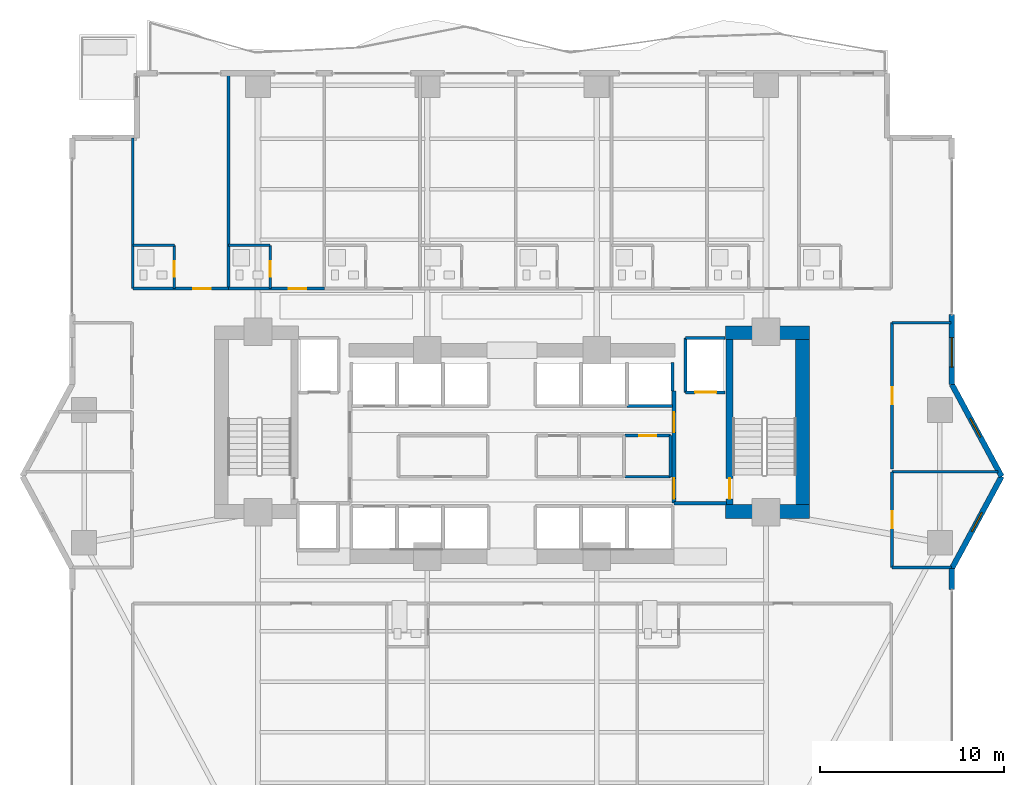
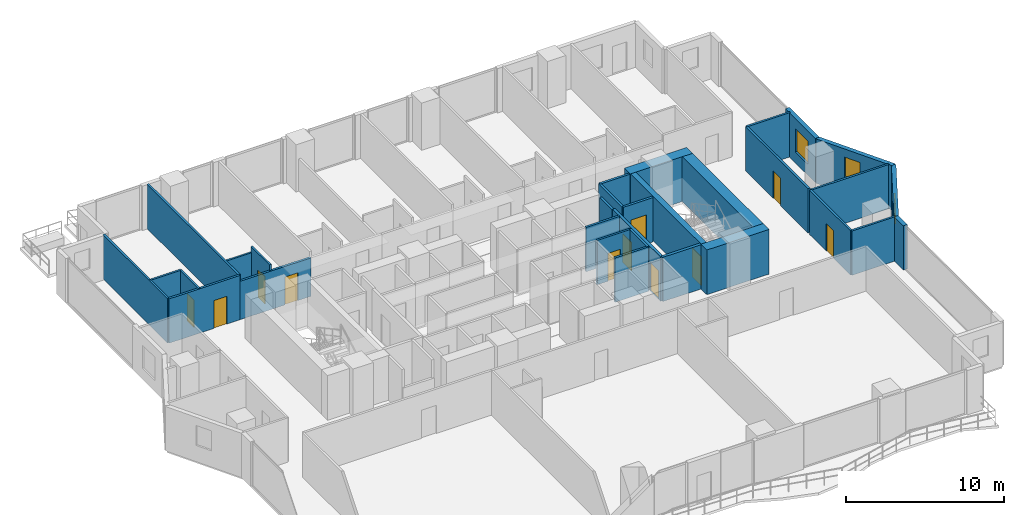
# One storey, part 23 of 29: 31 walls, 11 doors, 3 windows, 14 openings.
"""IFC4 building model written with IfcOpenShell, lengths in metres."""

from ifc_helpers import new_model, si_unit, direction, frame, frame_2d, origin, place, context, subcontext, project, spatial, rectangle, extrude, material, layer, layer_set, type_object, element, fill, save


model = new_model("IFC4")

# Units and contexts
model_context = context("Model", 3, precision=1e-05, world=origin(), true_north=direction((0.0, 1.0)))
body_context = subcontext(model_context, "Body", "Model", "MODEL_VIEW")
ifc_project = project(units=[si_unit("LENGTHUNIT", "METRE"), si_unit("AREAUNIT", "SQUARE_METRE"), si_unit("VOLUMEUNIT", "CUBIC_METRE"), si_unit("PLANEANGLEUNIT", "RADIAN"), si_unit("MASSUNIT", "GRAM", prefix="KILO")], contexts=[model_context])

# Site, building, storey
site_placement = place(None, origin())
site = spatial("IfcSite", under=ifc_project, at=site_placement, CompositionType="ELEMENT")
building_placement = place(site_placement, origin())
building = spatial("IfcBuilding", under=site, at=building_placement, Name="Zuhayl Quay Hotel", CompositionType="ELEMENT")
storey_placement = place(building_placement, frame((0.0, 0.0, 113.89990234375)))
storey = spatial("IfcBuildingStorey", under=building, at=storey_placement, Name="L28", CompositionType="ELEMENT", Elevation=113.89990234375)

# Walls
ifc_material_1 = material(Name="Concrete C60/75", Category="concrete")
ifc_layer_1 = layer(ifc_material_1, 0.75, Name="Concrete C60/75", Category="concrete")
ifc_layer_set_1 = layer_set([ifc_layer_1], Name="Concrete C60/75")
wall_type_1 = type_object("IfcWallType", Name="WL_CORE_750", PredefinedType="SHEAR", material=ifc_layer_set_1)
wall_1_placement = place(storey_placement, frame((11.60009765625, 14.304931640625, 0.0), z_axis=(0.0, 0.0, 1.0), x_axis=(1.0, 0.0, 0.0)))
element("IfcWall", 1, at=wall_1_placement, inside=storey, type_object=wall_type_1, Name="L28 Core Shear Wall CW_NE", PredefinedType="SHEAR", context=body_context, shape_type="SweptSolid", body=[
    extrude(rectangle(XDim=4.559814453125, YDim=0.75, at=frame_2d((2.27978515625, 0.0))), origin(), (0.0, 0.0, 1.0), 3.460205078125),
])
wall_2_placement = place(storey_placement, frame((15.784912109375, 4.969970703125, 0.0), z_axis=(0.0, 0.0, 1.0), x_axis=(0.0, 1.0, 0.0)))
element("IfcWall", 2, at=wall_2_placement, inside=storey, type_object=wall_type_1, Name="L28 Core Shear Wall CW_E", PredefinedType="SHEAR", context=body_context, shape_type="SweptSolid", body=[
    extrude(rectangle(XDim=8.9599609375, YDim=0.75, at=frame_2d((4.47998046875, 0.0))), origin(), (0.0, 0.0, 1.0), 3.460205078125),
])
wall_3_placement = place(storey_placement, frame((11.60009765625, 4.594970703125, 0.0), z_axis=(0.0, 0.0, 1.0), x_axis=(1.0, 0.0, 0.0)))
element("IfcWall", 3, at=wall_3_placement, inside=storey, type_object=wall_type_1, Name="L28 Core Shear Wall CW_SE", PredefinedType="SHEAR", context=body_context, shape_type="SweptSolid", body=[
    extrude(rectangle(XDim=4.559814453125, YDim=0.75, at=frame_2d((2.27978515625, 0.0))), origin(), (0.0, 0.0, 1.0), 3.460205078125),
])

# Wall, opening, window
ifc_material_2 = material(Name="Precast concrete C45/55", Category="concrete")
ifc_layer_2 = layer(ifc_material_2, 0.300048828125, Name="Precast concrete C45/55", Category="concrete")
ifc_layer_set_2 = layer_set([ifc_layer_2], Name="Precast concrete C45/55")
wall_type_2 = type_object("IfcWallType", Name="WL_EXT_300", PredefinedType="STANDARD", material=ifc_layer_set_2)
wall_4_placement = place(storey_placement, frame((23.89990234375, 15.300048828125, 0.0), z_axis=(0.0, 0.0, 1.0), x_axis=(0.0, -1.0, 0.0)))
wall_4 = element("IfcWall", 4, at=wall_4_placement, inside=storey, type_object=wall_type_2, Name="L28 Exterior Precast Wall ENV_L28_E11_EW2", PredefinedType="STANDARD", context=body_context, shape_type="SweptSolid", body=[
    extrude(rectangle(XDim=3.800048828125, YDim=0.300048828125, at=frame_2d((1.89990234375, 0.0))), origin(), (0.0, 0.0, 1.0), 3.43017578125),
])
opening_1_placement = place(wall_4_placement, frame((1.264892578125, 0.0, 0.85009765625)))
opening_1 = element("IfcOpeningElement", 5, at=opening_1_placement, cuts=wall_4, Name="Opening W01", PredefinedType="OPENING", context=body_context, shape_type="SweptSolid", body=[
    extrude(rectangle(XDim=1.60009765625, YDim=1.800048828125, at=frame_2d((0.800048828125, 0.89990234375))), frame((0.0, 0.159912109375, 0.0), z_axis=(0.0, -1.0, 0.0), x_axis=(1.0, 0.0, 0.0)), (0.0, 0.0, 1.0), 0.320068359375),
])
ifc_material_3 = material(Name="Dark Ceramic-Fritted Solar Glass", Category="glass")
window_type_1 = type_object("IfcWindowType", Name="WN_OPERABLE_1600", PartitioningType="DOUBLE_PANEL_VERTICAL", PredefinedType="WINDOW", material=ifc_material_3)
window_1_placement = place(opening_1_placement, origin())
window_1 = element("IfcWindow", 6, at=window_1_placement, inside=storey, type_object=window_type_1, Name="L28 Operable Facade Window 2-1", OverallHeight=1.800048828125, OverallWidth=1.60009765625, PartitioningType="SINGLE_PANEL", PredefinedType="WINDOW", context=body_context, shape_type="SweptSolid", body=[
    extrude(rectangle(XDim=1.60009765625, YDim=1.800048828125, at=frame_2d((0.800048828125, 0.89990234375))), frame((0.0, 0.030029296875, 0.0), z_axis=(0.0, -1.0, 0.0), x_axis=(1.0, 0.0, 0.0)), (0.0, 0.0, 1.0), 0.06005859375),
])
fill(opening_1, window_1)

wall_5_placement = place(storey_placement, frame((23.89990234375, 11.5, 0.0), z_axis=(0.0, 0.0, 1.0), x_axis=(0.475175525499, -0.879891027325, 0.0)))
wall_5 = element("IfcWall", 7, at=wall_5_placement, inside=storey, type_object=wall_type_2, Name="L28 Exterior Precast Wall ENV_L28_EW12", PredefinedType="STANDARD", context=body_context, shape_type="SweptSolid", body=[
    extrude(rectangle(XDim=5.6826171875, YDim=0.300048828125, at=frame_2d((2.84130859375, 0.0))), origin(), (0.0, 0.0, 1.0), 3.43017578125),
])
opening_2_placement = place(wall_5_placement, frame((2.099853515625, 0.0, 1.25)))
opening_2 = element("IfcOpeningElement", 8, at=opening_2_placement, cuts=wall_5, Name="Opening W01N", PredefinedType="OPENING", context=body_context, shape_type="SweptSolid", body=[
    extrude(rectangle(XDim=1.14990234375, YDim=1.550048828125, at=frame_2d((0.574951171875, 0.77490234375))), frame((0.0, 0.159912109375, 0.0), z_axis=(0.0, -1.0, 0.0), x_axis=(1.0, 0.0, 0.0)), (0.0, 0.0, 1.0), 0.320068359375),
])
window_type_2 = type_object("IfcWindowType", Name="WN_NOTCH_1350", PartitioningType="SINGLE_PANEL", PredefinedType="WINDOW", material=ifc_material_3)
window_2_placement = place(opening_2_placement, origin())
window_2 = element("IfcWindow", 9, at=window_2_placement, inside=storey, type_object=window_type_2, Name="L28 Corner Notch Window 12", OverallHeight=1.550048828125, OverallWidth=1.14990234375, PartitioningType="SINGLE_PANEL", PredefinedType="WINDOW", context=body_context, shape_type="SweptSolid", body=[
    extrude(rectangle(XDim=1.14990234375, YDim=1.550048828125, at=frame_2d((0.574951171875, 0.77490234375))), frame((0.0, 0.030029296875, 0.0), z_axis=(0.0, -1.0, 0.0), x_axis=(1.0, 0.0, 0.0)), (0.0, 0.0, 1.0), 0.06005859375),
])
fill(opening_2, window_2)

wall_6_placement = place(storey_placement, frame((26.60009765625, 6.5, 0.0), z_axis=(0.0, 0.0, 1.0), x_axis=(-0.475175525499, -0.879891027325, 0.0)))
wall_6 = element("IfcWall", 10, at=wall_6_placement, inside=storey, type_object=wall_type_2, Name="L28 Exterior Precast Wall ENV_L28_EW13", PredefinedType="STANDARD", context=body_context, shape_type="SweptSolid", body=[
    extrude(rectangle(XDim=5.6826171875, YDim=0.300048828125, at=frame_2d((2.84130859375, 0.0))), origin(), (0.0, 0.0, 1.0), 3.43017578125),
])
opening_3_placement = place(wall_6_placement, frame((2.2421875, 0.0, 1.25)))
opening_3 = element("IfcOpeningElement", 11, at=opening_3_placement, cuts=wall_6, Name="Opening W01N", PredefinedType="OPENING", context=body_context, shape_type="SweptSolid", body=[
    extrude(rectangle(XDim=1.14990234375, YDim=1.550048828125, at=frame_2d((0.574951171875, 0.77490234375))), frame((0.0, 0.159912109375, 0.0), z_axis=(0.0, -1.0, 0.0), x_axis=(1.0, 0.0, 0.0)), (0.0, 0.0, 1.0), 0.320068359375),
])
window_3_placement = place(opening_3_placement, origin())
window_3 = element("IfcWindow", 12, at=window_3_placement, inside=storey, type_object=window_type_2, Name="L28 Corner Notch Window 13", OverallHeight=1.550048828125, OverallWidth=1.14990234375, PartitioningType="SINGLE_PANEL", PredefinedType="WINDOW", context=body_context, shape_type="SweptSolid", body=[
    extrude(rectangle(XDim=1.14990234375, YDim=1.550048828125, at=frame_2d((0.574951171875, 0.77490234375))), frame((0.0, 0.030029296875, 0.0), z_axis=(0.0, -1.0, 0.0), x_axis=(1.0, 0.0, 0.0)), (0.0, 0.0, 1.0), 0.06005859375),
])
fill(opening_3, window_3)

# Wall
wall_7_placement = place(storey_placement, frame((23.89990234375, 1.5, 0.0), z_axis=(0.0, 0.0, 1.0), x_axis=(0.0, -1.0, 0.0)))
element("IfcWall", 13, at=wall_7_placement, inside=storey, type_object=wall_type_2, Name="L28 Exterior Precast Wall ENV_L28_E14_EW1", PredefinedType="STANDARD", context=body_context, shape_type="SweptSolid", body=[
    extrude(rectangle(XDim=1.14990234375, YDim=0.300048828125, at=frame_2d((0.574951171875, 0.0))), origin(), (0.0, 0.0, 1.0), 3.43017578125),
])

# Wall, opening, door
ifc_material_4 = material(Name="Acoustic Gypsum Partition STC-58")
ifc_layer_3 = layer(ifc_material_4, 0.14990234375, Name="Acoustic Gypsum Partition STC-58")
ifc_layer_set_3 = layer_set([ifc_layer_3], Name="Acoustic Gypsum Partition STC-58")
wall_type_3 = type_object("IfcWallType", Name="WL_PART_150", PredefinedType="PARTITIONING", material=ifc_layer_set_3)
wall_8_placement = place(storey_placement, frame((6.139892578125, 8.719970703125, 0.0), z_axis=(0.0, 0.0, 1.0), x_axis=(1.0, 0.0, 0.0)))
wall_8 = element("IfcWall", 14, at=wall_8_placement, inside=storey, type_object=wall_type_3, Name="L28 Partition IW_L28_CORE_E3_N", PredefinedType="PARTITIONING", context=body_context, shape_type="SweptSolid", body=[
    extrude(rectangle(XDim=2.47021484375, YDim=0.14990234375, at=frame_2d((1.235107421875, 0.0))), origin(), (0.0, 0.0, 1.0), 3.43017578125),
])
opening_4_placement = place(wall_8_placement, frame((0.784912109375, 0.0, 0.0)))
opening_4 = element("IfcOpeningElement", 15, at=opening_4_placement, cuts=wall_8, Name="Opening D06", PredefinedType="OPENING", context=body_context, shape_type="SweptSolid", body=[
    extrude(rectangle(XDim=0.89990234375, YDim=2.14990234375, at=frame_2d((0.449951171875, 1.074951171875))), frame((0.0, 0.0849609375, 0.0), z_axis=(0.0, -1.0, 0.0), x_axis=(1.0, 0.0, 0.0)), (0.0, 0.0, 1.0), 0.169921875),
])
ifc_material_5 = material(Name="Steel ASTM A992 Grade 50", Category="steel")
door_type_1 = type_object("IfcDoorType", Name="DR_INT_900", OperationType="NOTDEFINED", PredefinedType="DOOR", material=ifc_material_5)
door_1_placement = place(opening_4_placement, origin())
door_1 = element("IfcDoor", 16, at=door_1_placement, inside=storey, type_object=door_type_1, Name="L28 Janitor and Cleaners Store Door", OperationType="SINGLE_SWING_RIGHT", OverallHeight=2.14990234375, OverallWidth=0.89990234375, PredefinedType="DOOR", context=body_context, shape_type="SweptSolid", body=[
    extrude(rectangle(XDim=0.89990234375, YDim=2.14990234375, at=frame_2d((0.449951171875, 1.074951171875))), frame((0.0, 0.02490234375, 0.0), z_axis=(0.0, -1.0, 0.0), x_axis=(1.0, 0.0, 0.0)), (0.0, 0.0, 1.0), 0.050048828125),
])
fill(opening_4, door_1)

# Walls
wall_9_placement = place(storey_placement, frame((6.139892578125, 6.47998046875, 0.0), z_axis=(0.0, 0.0, 1.0), x_axis=(1.0, 0.0, 0.0)))
element("IfcWall", 17, at=wall_9_placement, inside=storey, type_object=wall_type_3, Name="L28 Partition IW_L28_CORE_E3_S", PredefinedType="PARTITIONING", context=body_context, shape_type="SweptSolid", body=[
    extrude(rectangle(XDim=2.47021484375, YDim=0.14990234375, at=frame_2d((1.235107421875, 0.0))), origin(), (0.0, 0.0, 1.0), 3.43017578125),
])
wall_10_placement = place(storey_placement, frame((8.610107421875, 6.47998046875, 0.0), z_axis=(0.0, 0.0, 1.0), x_axis=(0.0, 1.0, 0.0)))
element("IfcWall", 18, at=wall_10_placement, inside=storey, type_object=wall_type_3, Name="L28 Partition IW_L28_CORE_E3_E", PredefinedType="PARTITIONING", context=body_context, shape_type="SweptSolid", body=[
    extrude(rectangle(XDim=2.239990234375, YDim=0.14990234375, at=frame_2d((1.1201171875, 0.0))), origin(), (0.0, 0.0, 1.0), 3.43017578125),
])
wall_11_placement = place(storey_placement, frame((-20.60009765625, 16.699951171875, 0.0), z_axis=(0.0, 0.0, 1.0), x_axis=(0.0, 1.0, 0.0)))
element("IfcWall", 19, at=wall_11_placement, inside=storey, type_object=wall_type_3, Name="L28 Partition IW_L28_NU01_W", PredefinedType="PARTITIONING", context=body_context, shape_type="SweptSolid", body=[
    extrude(rectangle(XDim=8.199951171875, YDim=0.14990234375, at=frame_2d((4.10009765625, 0.0))), origin(), (0.0, 0.0, 1.0), 3.43017578125),
])
wall_12_placement = place(storey_placement, frame((-15.39990234375, 16.699951171875, 0.0), z_axis=(0.0, 0.0, 1.0), x_axis=(0.0, 1.0, 0.0)))
element("IfcWall", 20, at=wall_12_placement, inside=storey, type_object=wall_type_3, Name="L28 Partition IW_L28_NU01_E", PredefinedType="PARTITIONING", context=body_context, shape_type="SweptSolid", body=[
    extrude(rectangle(XDim=11.6201171875, YDim=0.14990234375, at=frame_2d((5.81005859375, 0.0))), origin(), (0.0, 0.0, 1.0), 3.43017578125),
])
wall_13_placement = place(storey_placement, frame((20.64990234375, 1.550048828125, 0.0), z_axis=(0.0, 0.0, 1.0), x_axis=(1.0, 0.0, 0.0)))
element("IfcWall", 21, at=wall_13_placement, inside=storey, type_object=wall_type_3, Name="L28 Partition IW_L28_HK_MAIN_S", PredefinedType="PARTITIONING", context=body_context, shape_type="SweptSolid", body=[
    extrude(rectangle(XDim=3.217041015625, YDim=0.14990234375, at=frame_2d((1.6083984375, 0.0))), origin(), (0.0, 0.0, 1.0), 3.43017578125),
])
wall_14_placement = place(storey_placement, frame((20.64990234375, 6.75, 0.0), z_axis=(0.0, 0.0, 1.0), x_axis=(1.0, 0.0, 0.0)))
element("IfcWall", 22, at=wall_14_placement, inside=storey, type_object=wall_type_3, Name="L28 Partition IW_L28_HK_MAIN_N", PredefinedType="PARTITIONING", context=body_context, shape_type="SweptSolid", body=[
    extrude(rectangle(XDim=5.755126953125, YDim=0.14990234375, at=frame_2d((2.87744140625, 0.0))), origin(), (0.0, 0.0, 1.0), 3.43017578125),
])
wall_15_placement = place(storey_placement, frame((20.64990234375, 14.85009765625, 0.0), z_axis=(0.0, 0.0, 1.0), x_axis=(1.0, 0.0, 0.0)))
element("IfcWall", 23, at=wall_15_placement, inside=storey, type_object=wall_type_3, Name="L28 Partition IW_L28_EFLK_2_N", PredefinedType="PARTITIONING", context=body_context, shape_type="SweptSolid", body=[
    extrude(rectangle(XDim=3.190185546875, YDim=0.14990234375, at=frame_2d((1.59521484375, 0.0))), origin(), (0.0, 0.0, 1.0), 3.43017578125),
])

# Wall, opening, door
ifc_layer_4 = layer(ifc_material_4, 0.159912109375, Name="Acoustic Gypsum Partition STC-58")
ifc_layer_set_4 = layer_set([ifc_layer_4], Name="Acoustic Gypsum Partition STC-58")
wall_type_4 = type_object("IfcWallType", Name="WL_PART_CORR_160", PredefinedType="PARTITIONING", material=ifc_layer_set_4)
wall_16_placement = place(storey_placement, frame((-20.60009765625, 16.699951171875, 0.0), z_axis=(0.0, 0.0, 1.0), x_axis=(1.0, 0.0, 0.0)))
wall_16 = element("IfcWall", 24, at=wall_16_placement, inside=storey, type_object=wall_type_4, Name="L28 Partition IW_L28_NU01_COR", PredefinedType="PARTITIONING", context=body_context, shape_type="SweptSolid", body=[
    extrude(rectangle(XDim=5.2001953125, YDim=0.159912109375, at=frame_2d((2.60009765625, 0.0))), origin(), (0.0, 0.0, 1.0), 3.43017578125),
])
opening_5_placement = place(wall_16_placement, frame((3.27490234375, 0.0, 0.0)))
opening_5 = element("IfcOpeningElement", 25, at=opening_5_placement, cuts=wall_16, Name="Opening D03", PredefinedType="OPENING", context=body_context, shape_type="SweptSolid", body=[
    extrude(rectangle(XDim=0.949951171875, YDim=2.14990234375, at=frame_2d((0.47509765625, 1.074951171875))), frame((0.0, 0.08984375, 0.0), z_axis=(0.0, -1.0, 0.0), x_axis=(1.0, 0.0, 0.0)), (0.0, 0.0, 1.0), 0.179931640625),
])
ifc_material_6 = material(Name="Solid Walnut Acoustic Fire Door")
door_type_2 = type_object("IfcDoorType", Name="DR_SUITE_950", OperationType="NOTDEFINED", PredefinedType="DOOR", material=ifc_material_6)
door_2_placement = place(opening_5_placement, origin())
door_2 = element("IfcDoor", 26, at=door_2_placement, inside=storey, type_object=door_type_2, Name="L28 Deluxe Gulf Guest Room L28-01 Entrance Door", OperationType="SINGLE_SWING_RIGHT", OverallHeight=2.14990234375, OverallWidth=0.949951171875, PredefinedType="DOOR", context=body_context, shape_type="SweptSolid", body=[
    extrude(rectangle(XDim=0.949951171875, YDim=2.14990234375, at=frame_2d((0.47509765625, 1.074951171875))), frame((0.0, 0.02490234375, 0.0), z_axis=(0.0, -1.0, 0.0), x_axis=(1.0, 0.0, 0.0)), (0.0, 0.0, 1.0), 0.050048828125),
])
fill(opening_5, door_2)

wall_17_placement = place(storey_placement, frame((-15.39990234375, 16.699951171875, 0.0), z_axis=(0.0, 0.0, 1.0), x_axis=(1.0, 0.0, 0.0)))
wall_17 = element("IfcWall", 27, at=wall_17_placement, inside=storey, type_object=wall_type_4, Name="L28 Partition IW_L28_NU02_COR", PredefinedType="PARTITIONING", context=body_context, shape_type="SweptSolid", body=[
    extrude(rectangle(XDim=5.199951171875, YDim=0.159912109375, at=frame_2d((2.60009765625, 0.0))), origin(), (0.0, 0.0, 1.0), 2.97314453125),
])
opening_6_placement = place(wall_17_placement, frame((3.27490234375, 0.0, 0.0)))
opening_6 = element("IfcOpeningElement", 28, at=opening_6_placement, cuts=wall_17, Name="Opening D03", PredefinedType="OPENING", context=body_context, shape_type="SweptSolid", body=[
    extrude(rectangle(XDim=0.949951171875, YDim=2.14990234375, at=frame_2d((0.47509765625, 1.074951171875))), frame((0.0, 0.08984375, 0.0), z_axis=(0.0, -1.0, 0.0), x_axis=(1.0, 0.0, 0.0)), (0.0, 0.0, 1.0), 0.179931640625),
])
door_3_placement = place(opening_6_placement, origin())
door_3 = element("IfcDoor", 29, at=door_3_placement, inside=storey, type_object=door_type_2, Name="L28 Deluxe Gulf Guest Room L28-02 Entrance Door", OperationType="SINGLE_SWING_RIGHT", OverallHeight=2.14990234375, OverallWidth=0.949951171875, PredefinedType="DOOR", context=body_context, shape_type="SweptSolid", body=[
    extrude(rectangle(XDim=0.949951171875, YDim=2.14990234375, at=frame_2d((0.47509765625, 1.074951171875))), frame((0.0, 0.02490234375, 0.0), z_axis=(0.0, -1.0, 0.0), x_axis=(1.0, 0.0, 0.0)), (0.0, 0.0, 1.0), 0.050048828125),
])
fill(opening_6, door_3)

wall_18_placement = place(storey_placement, frame((20.64990234375, 1.550048828125, 0.0), z_axis=(0.0, 0.0, 1.0), x_axis=(0.0, 1.0, 0.0)))
wall_18 = element("IfcWall", 30, at=wall_18_placement, inside=storey, type_object=wall_type_4, Name="L28 Partition IW_L28_HK_MAIN_W", PredefinedType="PARTITIONING", context=body_context, shape_type="SweptSolid", body=[
    extrude(rectangle(XDim=5.199951171875, YDim=0.159912109375, at=frame_2d((2.60009765625, 0.0))), origin(), (0.0, 0.0, 1.0), 3.43017578125),
])
opening_7_placement = place(wall_18_placement, frame((2.139892578125, 0.0, 0.0)))
opening_7 = element("IfcOpeningElement", 31, at=opening_7_placement, cuts=wall_18, Name="Opening D05", PredefinedType="OPENING", context=body_context, shape_type="SweptSolid", body=[
    extrude(rectangle(XDim=0.919921875, YDim=2.1201171875, at=frame_2d((0.4599609375, 1.06005859375))), frame((0.0, 0.08984375, 0.0), z_axis=(0.0, -1.0, 0.0), x_axis=(1.0, 0.0, 0.0)), (0.0, 0.0, 1.0), 0.179931640625),
])
door_type_3 = type_object("IfcDoorType", Name="DR_INT_950", OperationType="NOTDEFINED", PredefinedType="DOOR", material=ifc_material_6)
door_4_placement = place(opening_7_placement, origin())
door_4 = element("IfcDoor", 32, at=door_4_placement, inside=storey, type_object=door_type_3, Name="L28 Housekeeping and Linen Room Door", OperationType="SINGLE_SWING_RIGHT", OverallHeight=2.1201171875, OverallWidth=0.919921875, PredefinedType="DOOR", context=body_context, shape_type="SweptSolid", body=[
    extrude(rectangle(XDim=0.919921875, YDim=2.1201171875, at=frame_2d((0.4599609375, 1.06005859375))), frame((0.0, 0.02490234375, 0.0), z_axis=(0.0, -1.0, 0.0), x_axis=(1.0, 0.0, 0.0)), (0.0, 0.0, 1.0), 0.050048828125),
])
fill(opening_7, door_4)

wall_19_placement = place(storey_placement, frame((20.64990234375, 6.909912109375, 0.0), z_axis=(0.0, 0.0, 1.0), x_axis=(0.0, 1.0, 0.0)))
wall_19 = element("IfcWall", 33, at=wall_19_placement, inside=storey, type_object=wall_type_4, Name="L28 Partition IW_L28_EFLK_2_W", PredefinedType="PARTITIONING", context=body_context, shape_type="SweptSolid", body=[
    extrude(rectangle(XDim=7.940185546875, YDim=0.159912109375, at=frame_2d((3.97021484375, 0.0))), origin(), (0.0, 0.0, 1.0), 3.43017578125),
])
opening_8_placement = place(wall_19_placement, frame((3.510009765625, 0.0, 0.0)))
opening_8 = element("IfcOpeningElement", 34, at=opening_8_placement, cuts=wall_19, Name="Opening D05", PredefinedType="OPENING", context=body_context, shape_type="SweptSolid", body=[
    extrude(rectangle(XDim=0.919921875, YDim=2.1201171875, at=frame_2d((0.4599609375, 1.06005859375))), frame((0.0, 0.08984375, 0.0), z_axis=(0.0, -1.0, 0.0), x_axis=(1.0, 0.0, 0.0)), (0.0, 0.0, 1.0), 0.179931640625),
])
door_5_placement = place(opening_8_placement, origin())
door_5 = element("IfcDoor", 35, at=door_5_placement, inside=storey, type_object=door_type_3, Name="L28 East Prow Reading Lounge L28 Door", OperationType="SINGLE_SWING_LEFT", OverallHeight=2.1201171875, OverallWidth=0.919921875, PredefinedType="DOOR", context=body_context, shape_type="SweptSolid", body=[
    extrude(rectangle(XDim=0.919921875, YDim=2.1201171875, at=frame_2d((0.4599609375, 1.06005859375))), frame((0.0, 0.02490234375, 0.0), z_axis=(0.0, -1.0, 0.0), x_axis=(1.0, 0.0, 0.0)), (0.0, 0.0, 1.0), 0.050048828125),
])
fill(opening_8, door_5)

ifc_material_7 = material(Name="Moisture-Resistant Sanitarychase Gypsum")
ifc_layer_5 = layer(ifc_material_7, 0.135009765625, Name="Moisture-Resistant Sanitarychase Gypsum")
ifc_layer_set_5 = layer_set([ifc_layer_5], Name="Moisture-Resistant Sanitarychase Gypsum")
wall_type_5 = type_object("IfcWallType", Name="WL_PART_PLUMB_150", PredefinedType="PLUMBINGWALL", material=ifc_layer_set_5)
wall_20_placement = place(storey_placement, frame((-18.340087890625, 16.699951171875, 0.0), z_axis=(0.0, 0.0, 1.0), x_axis=(0.0, 1.0, 0.0)))
wall_20 = element("IfcWall", 36, at=wall_20_placement, inside=storey, type_object=wall_type_5, Name="L28 Partition IW_L28_NU01_BE", PredefinedType="PLUMBINGWALL", context=body_context, shape_type="SweptSolid", body=[
    extrude(rectangle(XDim=2.360107421875, YDim=0.135009765625, at=frame_2d((1.18017578125, 0.0))), origin(), (0.0, 0.0, 1.0), 3.43017578125),
])
opening_9_placement = place(wall_20_placement, frame((0.64990234375, 0.0, 0.0)))
opening_9 = element("IfcOpeningElement", 37, at=opening_9_placement, cuts=wall_20, Name="Opening D04", PredefinedType="OPENING", context=body_context, shape_type="SweptSolid", body=[
    extrude(rectangle(XDim=0.85009765625, YDim=2.10009765625, at=frame_2d((0.425048828125, 1.050048828125))), frame((0.0, 0.077392578125, 0.0), z_axis=(0.0, -1.0, 0.0), x_axis=(1.0, 0.0, 0.0)), (0.0, 0.0, 1.0), 0.155029296875),
])
ifc_material_8 = material(Name="Moisture-Resistant Walnut Veneer")
door_type_4 = type_object("IfcDoorType", Name="DR_BATH_850", OperationType="NOTDEFINED", PredefinedType="DOOR", material=ifc_material_8)
door_6_placement = place(opening_9_placement, origin())
door_6 = element("IfcDoor", 38, at=door_6_placement, inside=storey, type_object=door_type_4, Name="L28 Deluxe Gulf Guest Room L28-01 En-Suite Door", OperationType="SINGLE_SWING_LEFT", OverallHeight=2.10009765625, OverallWidth=0.85009765625, PredefinedType="DOOR", context=body_context, shape_type="SweptSolid", body=[
    extrude(rectangle(XDim=0.85009765625, YDim=2.10009765625, at=frame_2d((0.425048828125, 1.050048828125))), frame((0.0, 0.02490234375, 0.0), z_axis=(0.0, -1.0, 0.0), x_axis=(1.0, 0.0, 0.0)), (0.0, 0.0, 1.0), 0.050048828125),
])
fill(opening_9, door_6)

wall_21_placement = place(storey_placement, frame((-13.139892578125, 16.699951171875, 0.0), z_axis=(0.0, 0.0, 1.0), x_axis=(0.0, 1.0, 0.0)))
wall_21 = element("IfcWall", 39, at=wall_21_placement, inside=storey, type_object=wall_type_5, Name="L28 Partition IW_L28_NU02_BE", PredefinedType="PLUMBINGWALL", context=body_context, shape_type="SweptSolid", body=[
    extrude(rectangle(XDim=2.360107421875, YDim=0.135009765625, at=frame_2d((1.18017578125, 0.0))), origin(), (0.0, 0.0, 1.0), 3.43017578125),
])
opening_10_placement = place(wall_21_placement, frame((0.64990234375, 0.0, 0.0)))
opening_10 = element("IfcOpeningElement", 40, at=opening_10_placement, cuts=wall_21, Name="Opening D04", PredefinedType="OPENING", context=body_context, shape_type="SweptSolid", body=[
    extrude(rectangle(XDim=0.85009765625, YDim=2.10009765625, at=frame_2d((0.425048828125, 1.050048828125))), frame((0.0, 0.077392578125, 0.0), z_axis=(0.0, -1.0, 0.0), x_axis=(1.0, 0.0, 0.0)), (0.0, 0.0, 1.0), 0.155029296875),
])
door_7_placement = place(opening_10_placement, origin())
door_7 = element("IfcDoor", 41, at=door_7_placement, inside=storey, type_object=door_type_4, Name="L28 Deluxe Gulf Guest Room L28-02 En-Suite Door", OperationType="SINGLE_SWING_LEFT", OverallHeight=2.10009765625, OverallWidth=0.85009765625, PredefinedType="DOOR", context=body_context, shape_type="SweptSolid", body=[
    extrude(rectangle(XDim=0.85009765625, YDim=2.10009765625, at=frame_2d((0.425048828125, 1.050048828125))), frame((0.0, 0.02490234375, 0.0), z_axis=(0.0, -1.0, 0.0), x_axis=(1.0, 0.0, 0.0)), (0.0, 0.0, 1.0), 0.050048828125),
])
fill(opening_10, door_7)

# Walls
wall_22_placement = place(storey_placement, frame((-20.60009765625, 19.06005859375, 0.0), z_axis=(0.0, 0.0, 1.0), x_axis=(1.0, 0.0, 0.0)))
element("IfcWall", 42, at=wall_22_placement, inside=storey, type_object=wall_type_5, Name="L28 Partition IW_L28_NU01_BN", PredefinedType="PLUMBINGWALL", context=body_context, shape_type="SweptSolid", body=[
    extrude(rectangle(XDim=2.260009765625, YDim=0.135009765625, at=frame_2d((1.1298828125, 0.0))), origin(), (0.0, 0.0, 1.0), 3.43017578125),
])
wall_23_placement = place(storey_placement, frame((-15.39990234375, 19.06005859375, 0.0), z_axis=(0.0, 0.0, 1.0), x_axis=(1.0, 0.0, 0.0)))
element("IfcWall", 43, at=wall_23_placement, inside=storey, type_object=wall_type_5, Name="L28 Partition IW_L28_NU02_BN", PredefinedType="PLUMBINGWALL", context=body_context, shape_type="SweptSolid", body=[
    extrude(rectangle(XDim=2.260009765625, YDim=0.135009765625, at=frame_2d((1.1298828125, 0.0))), origin(), (0.0, 0.0, 1.0), 2.97314453125),
])

# Wall, opening, door
ifc_material_9 = material(Name="Gypsum Fireboard Assembly EI-90")
ifc_layer_6 = layer(ifc_material_9, 0.1650390625, Name="Gypsum Fireboard Assembly EI-90")
ifc_layer_set_6 = layer_set([ifc_layer_6], Name="Gypsum Fireboard Assembly EI-90")
wall_type_6 = type_object("IfcWallType", Name="WL_PART_SHAFT_160", PredefinedType="PARTITIONING", material=ifc_layer_set_6)
wall_24_placement = place(storey_placement, frame((9.419921875, 11.070068359375, 0.0), z_axis=(0.0, 0.0, 1.0), x_axis=(1.0, 0.0, 0.0)))
wall_24 = element("IfcWall", 44, at=wall_24_placement, inside=storey, type_object=wall_type_6, Name="L28 Partition IW_L28_SH_FL2_F", PredefinedType="PARTITIONING", context=body_context, shape_type="SweptSolid", body=[
    extrude(rectangle(XDim=2.16015625, YDim=0.1650390625, at=frame_2d((1.080078125, 0.0))), origin(), (0.0, 0.0, 1.0), 3.43017578125),
])
opening_11_placement = place(wall_24_placement, frame((0.530029296875, 0.0, 0.0)))
opening_11 = element("IfcOpeningElement", 45, at=opening_11_placement, cuts=wall_24, Name="Opening LD2", PredefinedType="OPENING", context=body_context, shape_type="SweptSolid", body=[
    extrude(rectangle(XDim=1.14990234375, YDim=2.25, at=frame_2d((0.574951171875, 1.125))), frame((0.0, 0.092529296875, 0.0), z_axis=(0.0, -1.0, 0.0), x_axis=(1.0, 0.0, 0.0)), (0.0, 0.0, 1.0), 0.18505859375),
])
ifc_material_10 = material(Name="Brushed Stainless Steel", Category="steel")
door_type_5 = type_object("IfcDoorType", Name="DR_LIFT_FF_1100", OperationType="SLIDING_TO_LEFT", PredefinedType="DOOR", material=ifc_material_10)
door_8_placement = place(opening_11_placement, origin())
door_8 = element("IfcDoor", 46, at=door_8_placement, inside=storey, type_object=door_type_5, Name="L28 Lift FL2 Sliding Landing Door", OperationType="SLIDING_TO_LEFT", OverallHeight=2.25, OverallWidth=1.14990234375, PredefinedType="DOOR", context=body_context, shape_type="SweptSolid", body=[
    extrude(rectangle(XDim=1.14990234375, YDim=2.25, at=frame_2d((0.574951171875, 1.125))), frame((0.0, 0.02490234375, 0.0), z_axis=(0.0, -1.0, 0.0), x_axis=(1.0, 0.0, 0.0)), (0.0, 0.0, 1.0), 0.050048828125),
])
fill(opening_11, door_8)

# Walls
wall_25_placement = place(storey_placement, frame((9.419921875, 11.070068359375, 0.0), z_axis=(0.0, 0.0, 1.0), x_axis=(0.0, 1.0, 0.0)))
element("IfcWall", 47, at=wall_25_placement, inside=storey, type_object=wall_type_6, Name="L28 Partition IW_L28_SH_FL2_W", PredefinedType="PARTITIONING", context=body_context, shape_type="SweptSolid", body=[
    extrude(rectangle(XDim=2.9599609375, YDim=0.1650390625, at=frame_2d((1.47998046875, 0.0))), origin(), (0.0, 0.0, 1.0), 3.43017578125),
])
wall_26_placement = place(storey_placement, frame((9.419921875, 14.030029296875, 0.0), z_axis=(0.0, 0.0, 1.0), x_axis=(1.0, 0.0, 0.0)))
element("IfcWall", 48, at=wall_26_placement, inside=storey, type_object=wall_type_6, Name="L28 Partition IW_L28_SH_FL2_B", PredefinedType="PARTITIONING", context=body_context, shape_type="SweptSolid", body=[
    extrude(rectangle(XDim=2.16015625, YDim=0.1650390625, at=frame_2d((1.080078125, 0.0))), origin(), (0.0, 0.0, 1.0), 3.43017578125),
])
wall_27_placement = place(storey_placement, frame((6.25, 10.320068359375, 0.0), z_axis=(0.0, 0.0, 1.0), x_axis=(1.0, 0.0, 0.0)))
element("IfcWall", 49, at=wall_27_placement, inside=storey, type_object=wall_type_6, Name="L28 Partition IW_L28_SH_HP4_F", PredefinedType="PARTITIONING", context=body_context, shape_type="SweptSolid", body=[
    extrude(rectangle(XDim=2.47998046875, YDim=0.1650390625, at=frame_2d((1.239990234375, 0.0))), origin(), (0.0, 0.0, 1.0), 3.43017578125),
])
wall_28_placement = place(storey_placement, frame((8.72998046875, 11.14990234375, 0.0), z_axis=(0.0, 0.0, 1.0), x_axis=(0.0, 1.0, 0.0)))
element("IfcWall", 50, at=wall_28_placement, inside=storey, type_object=wall_type_6, Name="L28 Partition IW_L28_SH_HP4_E", PredefinedType="PARTITIONING", context=body_context, shape_type="SweptSolid", body=[
    extrude(rectangle(XDim=1.530029296875, YDim=0.1650390625, at=frame_2d((0.76513671875, 0.0))), origin(), (0.0, 0.0, 1.0), 3.43017578125),
])

# Wall, openings, doors
ifc_material_11 = material(Name="Gypsum Fireboard Assembly EI-120")
ifc_layer_7 = layer(ifc_material_11, 0.199951171875, Name="Gypsum Fireboard Assembly EI-120")
ifc_layer_set_7 = layer_set([ifc_layer_7], Name="Gypsum Fireboard Assembly EI-120")
wall_type_7 = type_object("IfcWallType", Name="WL_PART_SHAFT_200", PredefinedType="PARTITIONING", material=ifc_layer_set_7)
wall_29_placement = place(storey_placement, frame((8.800048828125, 11.14990234375, 0.0), z_axis=(0.0, 0.0, 1.0), x_axis=(0.0, -1.0, 0.0)))
wall_29 = element("IfcWall", 51, at=wall_29_placement, inside=storey, type_object=wall_type_7, Name="L28 Partition IW_L28_FSAE_E_W", PredefinedType="PARTITIONING", context=body_context, shape_type="SweptSolid", body=[
    extrude(rectangle(XDim=6.099853515625, YDim=0.199951171875, at=frame_2d((3.0498046875, 0.0))), origin(), (0.0, 0.0, 1.0), 3.43017578125),
])
opening_12_placement = place(wall_29_placement, frame((1.14990234375, 0.0, 0.0)))
opening_12 = element("IfcOpeningElement", 52, at=opening_12_placement, cuts=wall_29, Name="Opening D02", PredefinedType="OPENING", context=body_context, shape_type="SweptSolid", body=[
    extrude(rectangle(XDim=1.10009765625, YDim=2.199951171875, at=frame_2d((0.550048828125, 1.10009765625))), frame((0.0, 0.10986328125, 0.0), z_axis=(0.0, -1.0, 0.0), x_axis=(1.0, 0.0, 0.0)), (0.0, 0.0, 1.0), 0.219970703125),
])
opening_13_placement = place(wall_29_placement, frame((4.75, 0.0, 0.0)))
opening_13 = element("IfcOpeningElement", 53, at=opening_13_placement, cuts=wall_29, Name="Opening D02", PredefinedType="OPENING", context=body_context, shape_type="SweptSolid", body=[
    extrude(rectangle(XDim=1.10009765625, YDim=2.199951171875, at=frame_2d((0.550048828125, 1.10009765625))), frame((0.0, 0.10986328125, 0.0), z_axis=(0.0, -1.0, 0.0), x_axis=(1.0, 0.0, 0.0)), (0.0, 0.0, 1.0), 0.219970703125),
])
door_type_6 = type_object("IfcDoorType", Name="DR_FIRE_90_1100", OperationType="NOTDEFINED", PredefinedType="DOOR", material=ifc_material_5)
door_9_placement = place(opening_12_placement, origin())
door_9 = element("IfcDoor", 54, at=door_9_placement, inside=storey, type_object=door_type_6, Name="L28 FSAE Lobby East North Entry Door", OperationType="SINGLE_SWING_LEFT", OverallHeight=2.199951171875, OverallWidth=1.10009765625, PredefinedType="DOOR", context=body_context, shape_type="SweptSolid", body=[
    extrude(rectangle(XDim=1.10009765625, YDim=2.199951171875, at=frame_2d((0.550048828125, 1.10009765625))), frame((0.0, 0.02490234375, 0.0), z_axis=(0.0, -1.0, 0.0), x_axis=(1.0, 0.0, 0.0)), (0.0, 0.0, 1.0), 0.050048828125),
])
fill(opening_12, door_9)
door_10_placement = place(opening_13_placement, origin())
door_10 = element("IfcDoor", 55, at=door_10_placement, inside=storey, type_object=door_type_6, Name="L28 FSAE Lobby East South Entry Door", OperationType="SINGLE_SWING_RIGHT", OverallHeight=2.199951171875, OverallWidth=1.10009765625, PredefinedType="DOOR", context=body_context, shape_type="SweptSolid", body=[
    extrude(rectangle(XDim=1.10009765625, YDim=2.199951171875, at=frame_2d((0.550048828125, 1.10009765625))), frame((0.0, 0.02490234375, 0.0), z_axis=(0.0, -1.0, 0.0), x_axis=(1.0, 0.0, 0.0)), (0.0, 0.0, 1.0), 0.050048828125),
])
fill(opening_13, door_10)

# Wall
wall_30_placement = place(storey_placement, frame((8.800048828125, 5.050048828125, 0.0), z_axis=(0.0, 0.0, 1.0), x_axis=(1.0, 0.0, 0.0)))
element("IfcWall", 56, at=wall_30_placement, inside=storey, type_object=wall_type_7, Name="L28 Partition IW_L28_FSAE_E_S", PredefinedType="PARTITIONING", context=body_context, shape_type="SweptSolid", body=[
    extrude(rectangle(XDim=2.849853515625, YDim=0.199951171875, at=frame_2d((1.4248046875, 0.0))), origin(), (0.0, 0.0, 1.0), 3.43017578125),
])

# Wall, opening, door
ifc_layer_8 = layer(ifc_material_1, 0.39990234375, Name="Concrete C60/75", Category="concrete")
ifc_layer_set_8 = layer_set([ifc_layer_8], Name="Concrete C60/75")
wall_type_8 = type_object("IfcWallType", Name="WL_STAIR_400", PredefinedType="SHEAR", material=ifc_layer_set_8)
wall_31_placement = place(storey_placement, frame((11.820068359375, 13.929931640625, 0.0), z_axis=(0.0, 0.0, 1.0), x_axis=(0.0, -1.0, 0.0)))
wall_31 = element("IfcWall", 57, at=wall_31_placement, inside=storey, type_object=wall_type_8, Name="L28 Core Shear Wall SW_ST2", PredefinedType="SHEAR", context=body_context, shape_type="SweptSolid", body=[
    extrude(rectangle(XDim=8.9599609375, YDim=0.39990234375, at=frame_2d((4.47998046875, 0.0))), origin(), (0.0, 0.0, 1.0), 3.460205078125),
])
opening_14_placement = place(wall_31_placement, frame((7.530029296875, 0.0, 0.0)))
opening_14 = element("IfcOpeningElement", 58, at=opening_14_placement, cuts=wall_31, Name="Opening D01", PredefinedType="OPENING", context=body_context, shape_type="SweptSolid", body=[
    extrude(rectangle(XDim=1.1201171875, YDim=2.219970703125, at=frame_2d((0.56005859375, 1.10986328125))), frame((0.0, 0.2099609375, 0.0), z_axis=(0.0, -1.0, 0.0), x_axis=(1.0, 0.0, 0.0)), (0.0, 0.0, 1.0), 0.419921875),
])
door_type_7 = type_object("IfcDoorType", Name="DR_STAIR_90_1100", OperationType="NOTDEFINED", PredefinedType="DOOR", material=ifc_material_5)
door_11_placement = place(opening_14_placement, origin())
door_11 = element("IfcDoor", 59, at=door_11_placement, inside=storey, type_object=door_type_7, Name="L28 Smokeproof Exit Stair ST2 Door", OperationType="SINGLE_SWING_RIGHT", OverallHeight=2.219970703125, OverallWidth=1.1201171875, PredefinedType="DOOR", context=body_context, shape_type="SweptSolid", body=[
    extrude(rectangle(XDim=1.1201171875, YDim=2.219970703125, at=frame_2d((0.56005859375, 1.10986328125))), frame((0.0, 0.02490234375, 0.0), z_axis=(0.0, -1.0, 0.0), x_axis=(1.0, 0.0, 0.0)), (0.0, 0.0, 1.0), 0.050048828125),
])
fill(opening_14, door_11)

save(model, "model.ifc")
